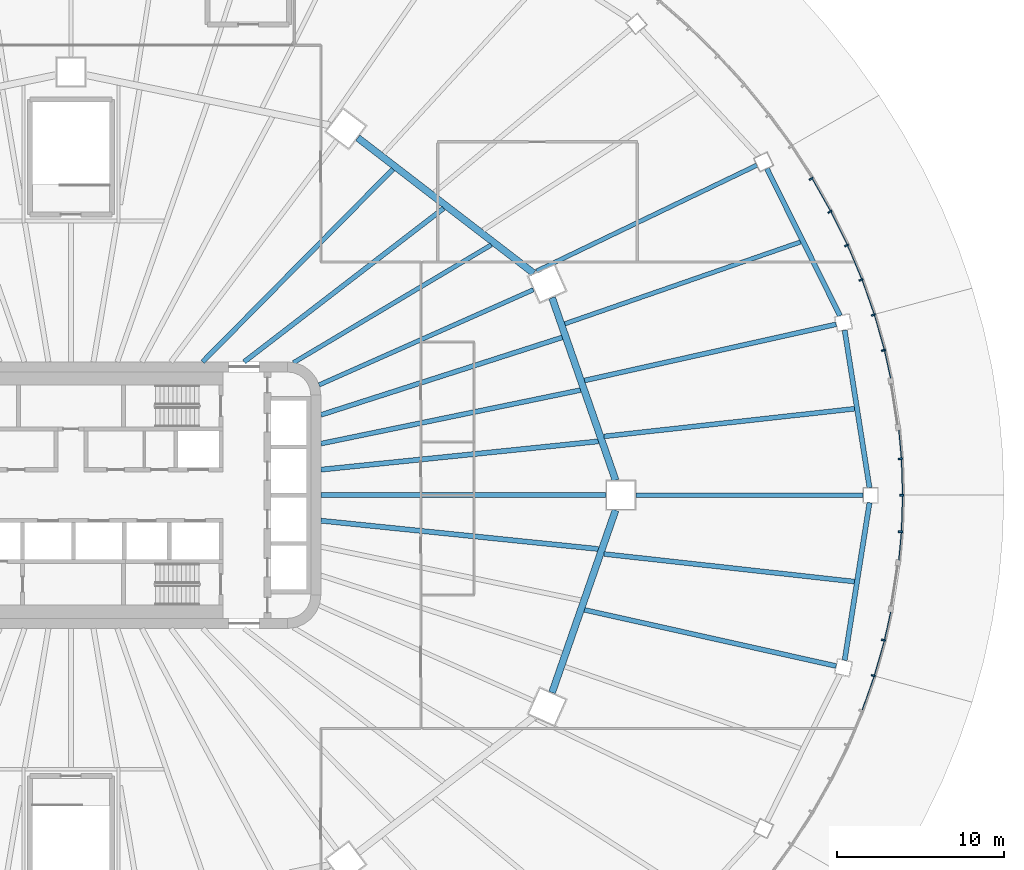
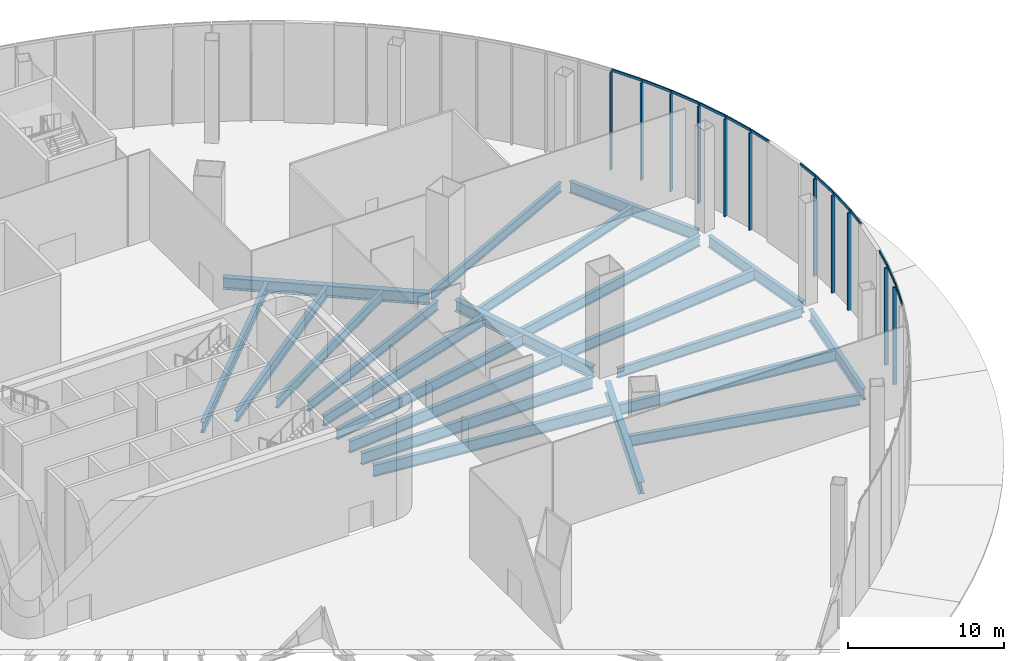
# One storey, part 7 of 36: 24 members, 22 beams, 6 elements without a shape of their own.
"""IFC4 building model written with IfcOpenShell, lengths in metres."""

from ifc_helpers import new_model, si_unit, direction, frame, origin, origin_2d, place, context, subcontext, project, spatial, rectangle, i_section, extrude, material, layer, layer_set, material_profile, profile_set, type_object, element, aggregate, save


model = new_model("IFC4")

# Units and contexts
model_context = context("Model", 3, precision=1e-05, world=origin(), true_north=direction((0.0, 1.0)))
body_context = subcontext(model_context, "Body", "Model", "MODEL_VIEW")
ifc_project = project(units=[si_unit("LENGTHUNIT", "METRE"), si_unit("AREAUNIT", "SQUARE_METRE"), si_unit("VOLUMEUNIT", "CUBIC_METRE"), si_unit("PLANEANGLEUNIT", "RADIAN"), si_unit("MASSUNIT", "GRAM", prefix="KILO")], contexts=[model_context])

# Site, building, storey
site_placement = place(None, origin())
site = spatial("IfcSite", under=ifc_project, at=site_placement, CompositionType="ELEMENT")
building_placement = place(site_placement, origin())
building = spatial("IfcBuilding", under=site, at=building_placement, Name="Sahrelin Media Tower", CompositionType="ELEMENT")
storey_placement = place(building_placement, origin())
storey = spatial("IfcBuildingStorey", under=building, at=storey_placement, Name="L00", CompositionType="ELEMENT", Elevation=0.0)

# Curtain wall, members
ifc_material_1 = material(Name="Champagne anodised aluminium 6063-T6", Category="aluminium")
ifc_layer = layer(ifc_material_1, 0.14990234375)
ifc_layer_set = layer_set([ifc_layer], Name="Concourse curtain wall")
curtain_wall_type = type_object("IfcCurtainWallType", Name="Concourse curtain wall", PredefinedType="NOTDEFINED", material=ifc_layer_set)
curtain_wall_1_placement = place(storey_placement, frame((50.0, 0.0, 0.0), z_axis=(0.0, 0.0, 1.0), x_axis=(1.0, 0.0, 0.0)))
curtain_wall_1 = element("IfcCurtainWall", 1, at=curtain_wall_1_placement, inside=storey, type_object=curtain_wall_type, Name="L00:CW:L00-P00", PredefinedType="NOTDEFINED")
ifc_material_profile_1 = material_profile(ifc_material_1, rectangle(XDim=0.10009765625, YDim=0.25, at=origin_2d()), Name="Mullion 100x250")
ifc_profile_set_1 = profile_set([ifc_material_profile_1], Name="Champagne anodised aluminium 6063-T6")
member_type_1 = type_object("IfcMemberType", Name="Mullion 100x250 CW4", PredefinedType="MULLION", material=ifc_profile_set_1)
member_1_placement = place(storey_placement, frame((49.85498046875, -0.00439453125, 0.0), z_axis=(0.0, 0.0, 1.0), x_axis=(-0.031147343317, 0.999514803794, 0.0)))
member_1 = element("IfcMember", 2, at=member_1_placement, type_object=member_type_1, Name="L00:CWM1:L00-P00", PredefinedType="MULLION", context=body_context, shape_type="SweptSolid", body=[
    extrude(rectangle(XDim=0.10009765625, YDim=0.25, at=origin_2d()), origin(), (0.0, 0.0, 1.0), 7.60009765625),
])
member_2_placement = place(storey_placement, frame((49.787109375, 2.1845703125, 0.0), z_axis=(0.0, 0.0, 1.0), x_axis=(-0.09329161754, 0.995638827134, 0.0)))
member_2 = element("IfcMember", 3, at=member_2_placement, type_object=member_type_1, Name="L00:CWM2:L00-P00", PredefinedType="MULLION", context=body_context, shape_type="SweptSolid", body=[
    extrude(rectangle(XDim=0.10009765625, YDim=0.25, at=origin_2d()), origin(), (0.0, 0.0, 1.0), 7.60009765625),
])

# Curtain wall, member
curtain_wall_2_placement = place(storey_placement, frame((49.277587890625, 7.054443359375, 0.0), z_axis=(0.0, 0.0, 1.0), x_axis=(1.0, 0.0, 0.0)))
curtain_wall_2 = element("IfcCurtainWall", 4, at=curtain_wall_2_placement, inside=storey, type_object=curtain_wall_type, Name="L00:CW2:L00-P00", PredefinedType="NOTDEFINED")
member_3_placement = place(storey_placement, frame((48.76806640625, 8.6923828125, 0.0), z_axis=(0.0, 0.0, 1.0), x_axis=(-0.274810138831, 0.961498511489, 0.0)))
member_3 = element("IfcMember", 5, at=member_3_placement, type_object=member_type_1, Name="L00:CWM5:L00-P00", PredefinedType="MULLION", context=body_context, shape_type="SweptSolid", body=[
    extrude(rectangle(XDim=0.10009765625, YDim=0.25, at=origin_2d()), origin(), (0.0, 0.0, 1.0), 7.60009765625),
])

# Curtain wall, members
curtain_wall_3_placement = place(storey_placement, frame((48.29638671875, 10.870361328125, 0.0), z_axis=(0.0, 0.0, 1.0), x_axis=(1.0, 0.0, 0.0)))
curtain_wall_3 = element("IfcCurtainWall", 6, at=curtain_wall_3_placement, inside=storey, type_object=curtain_wall_type, Name="L00:CW:L00-P01", PredefinedType="NOTDEFINED")
member_4_placement = place(storey_placement, frame((48.15966796875, 10.822265625, 0.0), z_axis=(0.0, 0.0, 1.0), x_axis=(-0.332579242691, 0.943075313711, 0.0)))
member_4 = element("IfcMember", 7, at=member_4_placement, type_object=member_type_1, Name="L00:CWM1:L00-P01", PredefinedType="MULLION", context=body_context, shape_type="SweptSolid", body=[
    extrude(rectangle(XDim=0.10009765625, YDim=0.25, at=origin_2d()), origin(), (0.0, 0.0, 1.0), 7.60009765625),
])
member_5_placement = place(storey_placement, frame((47.419189453125, 12.92236328125, 0.0), z_axis=(0.0, 0.0, 1.0), x_axis=(-0.388450189752, 0.921469722824, 0.0)))
member_5 = element("IfcMember", 8, at=member_5_placement, type_object=member_type_1, Name="L00:CWM2:L00-P01", PredefinedType="MULLION", context=body_context, shape_type="SweptSolid", body=[
    extrude(rectangle(XDim=0.10009765625, YDim=0.25, at=origin_2d()), origin(), (0.0, 0.0, 1.0), 7.60009765625),
])
member_6_placement = place(storey_placement, frame((46.549072265625, 14.9873046875, 0.0), z_axis=(0.0, 0.0, 1.0), x_axis=(-0.442262079274, 0.896885864108, 0.0)))
member_6 = element("IfcMember", 9, at=member_6_placement, type_object=member_type_1, Name="L00:CWM3:L00-P01", PredefinedType="MULLION", context=body_context, shape_type="SweptSolid", body=[
    extrude(rectangle(XDim=0.10009765625, YDim=0.25, at=origin_2d()), origin(), (0.0, 0.0, 1.0), 7.60009765625),
])
member_7_placement = place(storey_placement, frame((45.55126953125, 17.01123046875, 0.0), z_axis=(0.0, 0.0, 1.0), x_axis=(-0.493787068155, 0.869582849028, 0.0)))
member_7 = element("IfcMember", 10, at=member_7_placement, type_object=member_type_1, Name="L00:CWM4:L00-P01", PredefinedType="MULLION", context=body_context, shape_type="SweptSolid", body=[
    extrude(rectangle(XDim=0.10009765625, YDim=0.25, at=origin_2d()), origin(), (0.0, 0.0, 1.0), 7.60009765625),
])
member_8_placement = place(storey_placement, frame((44.428466796875, 18.989013671875, 0.0), z_axis=(0.0, 0.0, 1.0), x_axis=(-0.542830032192, 0.839842578196, 0.0)))
member_8 = element("IfcMember", 11, at=member_8_placement, type_object=member_type_1, Name="L00:CWM5:L00-P01", PredefinedType="MULLION", context=body_context, shape_type="SweptSolid", body=[
    extrude(rectangle(XDim=0.10009765625, YDim=0.25, at=origin_2d()), origin(), (0.0, 0.0, 1.0), 7.60009765625),
])

curtain_wall_4_placement = place(storey_placement, frame((48.29638671875, -10.870361328125, 0.0), z_axis=(0.0, 0.0, 1.0), x_axis=(1.0, 0.0, 0.0)))
curtain_wall_4 = element("IfcCurtainWall", 12, at=curtain_wall_4_placement, inside=storey, type_object=curtain_wall_type, Name="L00:CW:L00-P23", PredefinedType="NOTDEFINED")
member_9_placement = place(storey_placement, frame((48.156982421875, -10.83056640625, 0.0), z_axis=(0.0, 0.0, 1.0), x_axis=(0.274810138831, 0.961498511489, 0.0)))
member_9 = element("IfcMember", 13, at=member_9_placement, type_object=member_type_1, Name="L00:CWM1:L00-P23", PredefinedType="MULLION", context=body_context, shape_type="SweptSolid", body=[
    extrude(rectangle(XDim=0.10009765625, YDim=0.25, at=origin_2d()), origin(), (0.0, 0.0, 1.0), 7.60009765625),
])
member_10_placement = place(storey_placement, frame((48.765869140625, -8.701171875, 0.0), z_axis=(0.0, 0.0, 1.0), x_axis=(0.215437572845, 0.976517614898, 0.0)))
member_10 = element("IfcMember", 14, at=member_10_placement, type_object=member_type_1, Name="L00:CWM2:L00-P23", PredefinedType="MULLION", context=body_context, shape_type="SweptSolid", body=[
    extrude(rectangle(XDim=0.10009765625, YDim=0.25, at=origin_2d()), origin(), (0.0, 0.0, 1.0), 7.60009765625),
])

# Curtain wall, member
curtain_wall_5_placement = place(storey_placement, frame((49.7724609375, -3.89501953125, 0.0), z_axis=(0.0, 0.0, 1.0), x_axis=(1.0, 0.0, 0.0)))
curtain_wall_5 = element("IfcCurtainWall", 15, at=curtain_wall_5_placement, inside=storey, type_object=curtain_wall_type, Name="L00:CW2:L00-P23", PredefinedType="NOTDEFINED")
member_11_placement = place(storey_placement, frame((49.78662109375, -2.193603515625, 0.0), z_axis=(0.0, 0.0, 1.0), x_axis=(0.031147343317, 0.999514803794, 0.0)))
member_11 = element("IfcMember", 16, at=member_11_placement, type_object=member_type_1, Name="L00:CWM5:L00-P23", PredefinedType="MULLION", context=body_context, shape_type="SweptSolid", body=[
    extrude(rectangle(XDim=0.10009765625, YDim=0.25, at=origin_2d()), origin(), (0.0, 0.0, 1.0), 7.60009765625),
])

# Beams
ifc_material_2 = material(Name="Steel S355", Category="steel")
ifc_material_profile_2 = material_profile(ifc_material_2, i_section(OverallWidth=0.30322265625, OverallDepth=0.903076171875, WebThickness=0.01513671875, FlangeThickness=0.020263671875, FilletRadius=0.01904296875, at=origin_2d()), Name="UB 914x305x201")
ifc_profile_set_2 = profile_set([ifc_material_profile_2], Name="Steel S355")
beam_type_1 = type_object("IfcBeamType", Name="Podium edge girder PE11", PredefinedType="BEAM", material=ifc_profile_set_2)
beam_1_placement = place(storey_placement, frame((47.928955078125, 0.449951171875, -0.75146484375), z_axis=(-0.156048991104, 0.987749316565, 0.0), x_axis=(-0.987749316565, -0.156048991104, 0.0)))
element("IfcBeam", 17, at=beam_1_placement, inside=storey, type_object=beam_type_1, Name="Podium edge girder L00-01", PredefinedType="BEAM", context=body_context, shape_type="SweptSolid", body=[
    extrude(i_section(OverallWidth=0.30322265625, OverallDepth=0.903076171875, WebThickness=0.01513671875, FlangeThickness=0.020263671875, FilletRadius=0.01904296875, at=origin_2d()), origin(), (0.0, 0.0, 1.0), 9.57470703125),
])
beam_2_placement = place(storey_placement, frame((46.158203125, 10.767822265625, -0.75146484375), z_axis=(-0.445112588569, 0.895474613541, 0.0), x_axis=(-0.895474613541, -0.445112588569, 0.0)))
element("IfcBeam", 18, at=beam_2_placement, inside=storey, type_object=beam_type_1, Name="Podium edge girder L00-02", PredefinedType="BEAM", context=body_context, shape_type="SweptSolid", body=[
    extrude(i_section(OverallWidth=0.30322265625, OverallDepth=0.903076171875, WebThickness=0.01513671875, FlangeThickness=0.020263671875, FilletRadius=0.01904296875, at=origin_2d()), origin(), (0.0, 0.0, 1.0), 9.859619140625),
])
beam_3_placement = place(storey_placement, frame((46.434814453125, -9.907470703125, -0.75146484375), z_axis=(0.156048991104, 0.987749316565, 0.0), x_axis=(-0.987749316565, 0.156048991104, 0.0)))
element("IfcBeam", 19, at=beam_3_placement, inside=storey, type_object=beam_type_1, Name="Podium edge girder L00-24", PredefinedType="BEAM", context=body_context, shape_type="SweptSolid", body=[
    extrude(i_section(OverallWidth=0.30322265625, OverallDepth=0.903076171875, WebThickness=0.01513671875, FlangeThickness=0.020263671875, FilletRadius=0.01904296875, at=origin_2d()), origin(), (0.0, 0.0, 1.0), 9.57470703125),
])
ifc_material_profile_3 = material_profile(ifc_material_2, i_section(OverallWidth=0.41845703125, OverallDepth=0.911865234375, WebThickness=0.019287109375, FlangeThickness=0.031982421875, FilletRadius=0.024169921875, at=origin_2d()), Name="UB 914x419x343")
ifc_profile_set_3 = profile_set([ifc_material_profile_3], Name="Steel S355")
beam_type_2 = type_object("IfcBeamType", Name="Podium ring girder PG12", PredefinedType="BEAM", material=ifc_profile_set_3)
beam_4_placement = place(storey_placement, frame((32.686767578125, 0.89990234375, -0.755859375), z_axis=(-0.328773851324, 0.944408679908, 0.0), x_axis=(-0.944408679908, -0.328773851324, 0.0)))
element("IfcBeam", 20, at=beam_4_placement, inside=storey, type_object=beam_type_2, Name="Podium girder L00-01", PredefinedType="BEAM", context=body_context, shape_type="SweptSolid", body=[
    extrude(i_section(OverallWidth=0.41845703125, OverallDepth=0.911865234375, WebThickness=0.019287109375, FlangeThickness=0.031982421875, FilletRadius=0.024169921875, at=origin_2d()), origin(), (0.0, 0.0, 1.0), 11.591552734375),
])
beam_5_placement = place(storey_placement, frame((27.767578125, 13.324462890625, -0.755859375), z_axis=(-0.792445416108, 0.609942835428, 0.0), x_axis=(-0.609942835428, -0.792445416108, 0.0)))
element("IfcBeam", 21, at=beam_5_placement, inside=storey, type_object=beam_type_2, Name="Podium girder L00-02", PredefinedType="BEAM", context=body_context, shape_type="SweptSolid", body=[
    extrude(i_section(OverallWidth=0.41845703125, OverallDepth=0.911865234375, WebThickness=0.019287109375, FlangeThickness=0.031982421875, FilletRadius=0.024169921875, at=origin_2d()), origin(), (0.0, 0.0, 1.0), 13.318603515625),
])
beam_6_placement = place(storey_placement, frame((28.875732421875, -11.84716796875, -0.755859375), z_axis=(0.328773851324, 0.944408679908, 0.0), x_axis=(-0.944408679908, 0.328773851324, 0.0)))
element("IfcBeam", 22, at=beam_6_placement, inside=storey, type_object=beam_type_2, Name="Podium girder L00-12", PredefinedType="BEAM", context=body_context, shape_type="SweptSolid", body=[
    extrude(i_section(OverallWidth=0.41845703125, OverallDepth=0.911865234375, WebThickness=0.019287109375, FlangeThickness=0.031982421875, FilletRadius=0.024169921875, at=origin_2d()), origin(), (0.0, 0.0, 1.0), 11.591552734375),
])
ifc_material_profile_4 = material_profile(ifc_material_2, i_section(OverallWidth=0.291748046875, OverallDepth=0.8349609375, WebThickness=0.013916015625, FlangeThickness=0.018798828125, FilletRadius=0.017822265625, at=origin_2d()), Name="UB 838x292x176")
ifc_profile_set_4 = profile_set([ifc_material_profile_4], Name="Steel S355")
beam_type_3 = type_object("IfcBeamType", Name="Radial primary beam PB10", PredefinedType="BEAM", material=ifc_profile_set_4)
beam_7_placement = place(storey_placement, frame((15.0, 3.093505859375, -0.71728515625), z_axis=(0.979386832716, 0.201993643221, 0.0), x_axis=(-0.201993643221, 0.979386832716, 0.0)))
element("IfcBeam", 23, at=beam_7_placement, inside=storey, type_object=beam_type_3, Name="Radial beam L00-02", PredefinedType="BEAM", context=body_context, shape_type="SweptSolid", body=[
    extrude(i_section(OverallWidth=0.291748046875, OverallDepth=0.8349609375, WebThickness=0.013916015625, FlangeThickness=0.018798828125, FilletRadius=0.017822265625, at=origin_2d()), origin(), (0.0, 0.0, 1.0), 15.91064453125),
])
beam_8_placement = place(storey_placement, frame((10.393798828125, 8.0, -0.71728515625), z_axis=(0.79244196099, 0.609947324335, 0.0), x_axis=(-0.609947324335, 0.79244196099, 0.0)))
element("IfcBeam", 24, at=beam_8_placement, inside=storey, type_object=beam_type_3, Name="Radial beam L00-04", PredefinedType="BEAM", context=body_context, shape_type="SweptSolid", body=[
    extrude(i_section(OverallWidth=0.291748046875, OverallDepth=0.8349609375, WebThickness=0.013916015625, FlangeThickness=0.018798828125, FilletRadius=0.017822265625, at=origin_2d()), origin(), (0.0, 0.0, 1.0), 15.1103515625),
])
for number, where, z_axis, x_axis, name in (
    (25, (30.825439453125, 6.883056640625, -0.71728515625), (0.975966755314, 0.217919463385, 0.0), (-0.217919463385, 0.975966755314, 0.0), "Radial beam L00-02"),
    (26, (30.825439453125, -6.883056640625, -0.71728515625), (0.975966755314, -0.217919463385, 0.0), (0.217919463385, 0.975966755314, 0.0), "Radial beam L00-24"),
):
    element("IfcBeam", number, at=place(storey_placement, frame(where, z_axis=z_axis, x_axis=x_axis)), inside=storey, type_object=beam_type_3, Name=name, PredefinedType="BEAM", context=body_context, shape_type="SweptSolid", body=[
        extrude(i_section(OverallWidth=0.291748046875, OverallDepth=0.8349609375, WebThickness=0.013916015625, FlangeThickness=0.018798828125, FilletRadius=0.017822265625, at=origin_2d()), origin(), (0.0, 0.0, 1.0), 15.4716796875),
    ])
ifc_material_profile_5 = material_profile(ifc_material_2, i_section(OverallWidth=0.30322265625, OverallDepth=0.903076171875, WebThickness=0.01513671875, FlangeThickness=0.020263671875, FilletRadius=0.01904296875, at=origin_2d()), Name="UB 914x305x201")
ifc_profile_set_5 = profile_set([ifc_material_profile_5], Name="Steel S355")
beam_type_4 = type_object("IfcBeamType", Name="Radial primary beam PB11", PredefinedType="BEAM", material=ifc_profile_set_5)
beam_9_placement = place(storey_placement, frame((15.0, 0.0, -0.75146484375), z_axis=(1.0, 0.0, 0.0), x_axis=(0.0, 1.0, 0.0)))
element("IfcBeam", 27, at=beam_9_placement, inside=storey, type_object=beam_type_4, Name="Radial beam L00-01", PredefinedType="BEAM", context=body_context, shape_type="SweptSolid", body=[
    extrude(i_section(OverallWidth=0.30322265625, OverallDepth=0.903076171875, WebThickness=0.01513671875, FlangeThickness=0.020263671875, FilletRadius=0.01904296875, at=origin_2d()), origin(), (0.0, 0.0, 1.0), 17.10009765625),
])
ifc_material_profile_6 = material_profile(ifc_material_2, i_section(OverallWidth=0.26513671875, OverallDepth=0.75390625, WebThickness=0.0126953125, FlangeThickness=0.017578125, FilletRadius=0.0166015625, at=origin_2d()), Name="UB 762x267x147")
ifc_profile_set_6 = profile_set([ifc_material_profile_6], Name="Steel S355")
beam_type_5 = type_object("IfcBeamType", Name="Radial primary beam PB9", PredefinedType="BEAM", material=ifc_profile_set_6)
beam_10_placement = place(storey_placement, frame((14.890625, 6.6171875, -0.677001953125), z_axis=(0.913833000058, 0.406090196883, 0.0), x_axis=(-0.406090196883, 0.913833000058, 0.0)))
element("IfcBeam", 28, at=beam_10_placement, inside=storey, type_object=beam_type_5, Name="Radial beam L00-03", PredefinedType="BEAM", context=body_context, shape_type="SweptSolid", body=[
    extrude(i_section(OverallWidth=0.26513671875, OverallDepth=0.75390625, WebThickness=0.0126953125, FlangeThickness=0.017578125, FilletRadius=0.0166015625, at=origin_2d()), origin(), (0.0, 0.0, 1.0), 14.078857421875),
])
beam_11_placement = place(storey_placement, frame((33.89990234375, 0.0, -0.677001953125), z_axis=(1.0, 0.0, 0.0), x_axis=(0.0, 1.0, 0.0)))
element("IfcBeam", 29, at=beam_11_placement, inside=storey, type_object=beam_type_5, Name="Radial beam L00-01", PredefinedType="BEAM", context=body_context, shape_type="SweptSolid", body=[
    extrude(i_section(OverallWidth=0.26513671875, OverallDepth=0.75390625, WebThickness=0.0126953125, FlangeThickness=0.017578125, FilletRadius=0.0166015625, at=origin_2d()), origin(), (0.0, 0.0, 1.0), 13.650146484375),
])
beam_12_placement = place(storey_placement, frame((27.950439453125, 13.44775390625, -0.677001953125), z_axis=(0.901130102072, 0.433548773657, 0.0), x_axis=(-0.433548773657, 0.901130102072, 0.0)))
element("IfcBeam", 30, at=beam_12_placement, inside=storey, type_object=beam_type_5, Name="Radial beam L00-03", PredefinedType="BEAM", context=body_context, shape_type="SweptSolid", body=[
    extrude(i_section(OverallWidth=0.26513671875, OverallDepth=0.75390625, WebThickness=0.0126953125, FlangeThickness=0.017578125, FilletRadius=0.0166015625, at=origin_2d()), origin(), (0.0, 0.0, 1.0), 14.6630859375),
])
ifc_material_profile_7 = material_profile(ifc_material_2, i_section(OverallWidth=0.291748046875, OverallDepth=0.8349609375, WebThickness=0.013916015625, FlangeThickness=0.018798828125, FilletRadius=0.017822265625, at=origin_2d()), Name="UB 838x292x176")
ifc_profile_set_7 = profile_set([ifc_material_profile_7], Name="Steel S355")
beam_type_6 = type_object("IfcBeamType", Name="Radial secondary beam SB10", PredefinedType="BEAM", material=ifc_profile_set_7)
beam_13_placement = place(storey_placement, frame((15.0, 4.81787109375, -0.71728515625), z_axis=(0.952096340592, 0.305798231244, 0.0), x_axis=(-0.305798231244, 0.952096340592, 0.0)))
element("IfcBeam", 31, at=beam_13_placement, inside=storey, type_object=beam_type_6, Name="Secondary beam L00-02", PredefinedType="BEAM", context=body_context, shape_type="SweptSolid", body=[
    extrude(i_section(OverallWidth=0.291748046875, OverallDepth=0.8349609375, WebThickness=0.013916015625, FlangeThickness=0.018798828125, FilletRadius=0.017822265625, at=origin_2d()), origin(), (0.0, 0.0, 1.0), 15.210693359375),
])
beam_14_placement = place(storey_placement, frame((7.901123046875, 8.0, -0.71728515625), z_axis=(0.702706329063, 0.711480017355, 0.0), x_axis=(-0.711480017355, 0.702706329063, 0.0)))
element("IfcBeam", 32, at=beam_14_placement, inside=storey, type_object=beam_type_6, Name="Secondary beam L00-04", PredefinedType="BEAM", context=body_context, shape_type="SweptSolid", body=[
    extrude(i_section(OverallWidth=0.291748046875, OverallDepth=0.8349609375, WebThickness=0.013916015625, FlangeThickness=0.018798828125, FilletRadius=0.017822265625, at=origin_2d()), origin(), (0.0, 0.0, 1.0), 16.250732421875),
])
for number, where, z_axis, x_axis, name in (
    (33, (31.9931640625, 3.528564453125, -0.71728515625), (0.993973950123, 0.109616542901, 0.0), (-0.109616542901, 0.993973950123, 0.0), "Secondary beam L00-01"),
    (34, (31.9931640625, -3.528564453125, -0.71728515625), (0.993973950123, -0.109616542901, 0.0), (0.109616542901, 0.993973950123, 0.0), "Secondary beam L00-24"),
):
    element("IfcBeam", number, at=place(storey_placement, frame(where, z_axis=z_axis, x_axis=x_axis)), inside=storey, type_object=beam_type_6, Name=name, PredefinedType="BEAM", context=body_context, shape_type="SweptSolid", body=[
        extrude(i_section(OverallWidth=0.291748046875, OverallDepth=0.8349609375, WebThickness=0.013916015625, FlangeThickness=0.018798828125, FilletRadius=0.017822265625, at=origin_2d()), origin(), (0.0, 0.0, 1.0), 15.125),
    ])
ifc_material_profile_8 = material_profile(ifc_material_2, i_section(OverallWidth=0.30322265625, OverallDepth=0.903076171875, WebThickness=0.01513671875, FlangeThickness=0.020263671875, FilletRadius=0.01904296875, at=origin_2d()), Name="UB 914x305x201")
ifc_profile_set_8 = profile_set([ifc_material_profile_8], Name="Steel S355")
beam_type_7 = type_object("IfcBeamType", Name="Radial secondary beam SB11", PredefinedType="BEAM", material=ifc_profile_set_8)
for number, where, z_axis, x_axis, name in (
    (35, (15.0, 1.53076171875, -0.75146484375), (0.994833571419, 0.10151928476, 0.0), (-0.10151928476, 0.994833571419, 0.0), "Secondary beam L00-01"),
    (36, (15.0, -1.53076171875, -0.75146484375), (0.994833571419, -0.10151928476, 0.0), (0.10151928476, 0.994833571419, 0.0), "Secondary beam L00-28"),
):
    element("IfcBeam", number, at=place(storey_placement, frame(where, z_axis=z_axis, x_axis=x_axis)), inside=storey, type_object=beam_type_7, Name=name, PredefinedType="BEAM", context=body_context, shape_type="SweptSolid", body=[
        extrude(i_section(OverallWidth=0.30322265625, OverallDepth=0.903076171875, WebThickness=0.01513671875, FlangeThickness=0.020263671875, FilletRadius=0.01904296875, at=origin_2d()), origin(), (0.0, 0.0, 1.0), 16.740234375),
    ])
ifc_material_profile_9 = material_profile(ifc_material_2, i_section(OverallWidth=0.26513671875, OverallDepth=0.75390625, WebThickness=0.0126953125, FlangeThickness=0.017578125, FilletRadius=0.0166015625, at=origin_2d()), Name="UB 762x267x147")
ifc_profile_set_9 = profile_set([ifc_material_profile_9], Name="Steel S355")
beam_type_8 = type_object("IfcBeamType", Name="Radial secondary beam SB9", PredefinedType="BEAM", material=ifc_profile_set_9)
beam_15_placement = place(storey_placement, frame((13.356201171875, 7.953125, -0.677001953125), z_axis=(0.859199265621, 0.511641106594, 0.0), x_axis=(-0.511641106594, 0.859199265621, 0.0)))
element("IfcBeam", 37, at=beam_15_placement, inside=storey, type_object=beam_type_8, Name="Secondary beam L00-03", PredefinedType="BEAM", context=body_context, shape_type="SweptSolid", body=[
    extrude(i_section(OverallWidth=0.26513671875, OverallDepth=0.75390625, WebThickness=0.0126953125, FlangeThickness=0.017578125, FilletRadius=0.0166015625, at=origin_2d()), origin(), (0.0, 0.0, 1.0), 13.810791015625),
])
beam_16_placement = place(storey_placement, frame((29.640380859375, 10.287109375, -0.677001953125), z_axis=(0.944713020182, 0.32789832189, 0.0), x_axis=(-0.32789832189, 0.944713020182, 0.0)))
element("IfcBeam", 38, at=beam_16_placement, inside=storey, type_object=beam_type_8, Name="Secondary beam L00-02", PredefinedType="BEAM", context=body_context, shape_type="SweptSolid", body=[
    extrude(i_section(OverallWidth=0.26513671875, OverallDepth=0.75390625, WebThickness=0.0126953125, FlangeThickness=0.017578125, FilletRadius=0.0166015625, at=origin_2d()), origin(), (0.0, 0.0, 1.0), 14.974609375),
])

# Member
ifc_material_profile_10 = material_profile(ifc_material_1, rectangle(XDim=0.080078125, YDim=0.199951171875, at=origin_2d()), Name="Transom 80x200")
ifc_profile_set_10 = profile_set([ifc_material_profile_10], Name="Champagne anodised aluminium 6063-T6")
member_type_2 = type_object("IfcMemberType", Name="Transom 80x200 CW4", PredefinedType="USERDEFINED", material=ifc_profile_set_10)
member_12_placement = place(storey_placement, frame((49.938232421875, 0.05810546875, 7.699951171875), z_axis=(-0.031156367282, 0.999514522545, 0.0), x_axis=(-0.999514522545, -0.031156367282, 0.0)))
member_12 = element("IfcMember", 39, at=member_12_placement, type_object=member_type_2, Name="L00:CWT1a:L00-P00", ObjectType="TRANSOM", PredefinedType="USERDEFINED", context=body_context, shape_type="SweptSolid", body=[
    extrude(rectangle(XDim=0.080078125, YDim=0.199951171875, at=origin_2d()), origin(), (0.0, 0.0, 1.0), 2.13916015625),
])

member_13_placement = place(storey_placement, frame((49.8662109375, 2.252197265625, 7.699951171875), z_axis=(-0.093239524002, 0.995643706937, 0.0), x_axis=(-0.995643706937, -0.093239524002, 0.0)))
member_13 = element("IfcMember", 40, at=member_13_placement, type_object=member_type_2, Name="L00:CWT2a:L00-P00", ObjectType="TRANSOM", PredefinedType="USERDEFINED", context=body_context, shape_type="SweptSolid", body=[
    extrude(rectangle(XDim=0.080078125, YDim=0.199951171875, at=origin_2d()), origin(), (0.0, 0.0, 1.0), 1.644287109375),
])

aggregate(curtain_wall_1, [member_1, member_12, member_2, member_13])

member_14_placement = place(storey_placement, frame((49.218994140625, 7.04150390625, 7.699951171875), z_axis=(-0.21539570851, 0.976526849992, 0.0), x_axis=(-0.976526849992, -0.21539570851, 0.0)))
member_14 = element("IfcMember", 41, at=member_14_placement, type_object=member_type_2, Name="L00:CWT4a:L00-P00", ObjectType="TRANSOM", PredefinedType="USERDEFINED", context=body_context, shape_type="SweptSolid", body=[
    extrude(rectangle(XDim=0.080078125, YDim=0.199951171875, at=origin_2d()), origin(), (0.0, 0.0, 1.0), 1.71826171875),
])

member_15_placement = place(storey_placement, frame((48.833251953125, 8.7734375, 7.699951171875), z_axis=(-0.274840336515, 0.961489880043, 0.0), x_axis=(-0.961489880043, -0.274840336515, 0.0)))
member_15 = element("IfcMember", 42, at=member_15_placement, type_object=member_type_2, Name="L00:CWT5a:L00-P00", ObjectType="TRANSOM", PredefinedType="USERDEFINED", context=body_context, shape_type="SweptSolid", body=[
    extrude(rectangle(XDim=0.080078125, YDim=0.199951171875, at=origin_2d()), origin(), (0.0, 0.0, 1.0), 2.163818359375),
])

aggregate(curtain_wall_2, [member_14, member_3, member_15])

member_16_placement = place(storey_placement, frame((48.2197265625, 10.906982421875, 7.699951171875), z_axis=(-0.332608797654, 0.943064890515, 0.0), x_axis=(-0.943064890515, -0.332608797654, 0.0)))
member_16 = element("IfcMember", 43, at=member_16_placement, type_object=member_type_2, Name="L00:CWT1a:L00-P01", ObjectType="TRANSOM", PredefinedType="USERDEFINED", context=body_context, shape_type="SweptSolid", body=[
    extrude(rectangle(XDim=0.080078125, YDim=0.199951171875, at=origin_2d()), origin(), (0.0, 0.0, 1.0), 2.175537109375),
])

member_17_placement = place(storey_placement, frame((47.47412109375, 13.0107421875, 7.699951171875), z_axis=(-0.388381004069, 0.921498885337, 0.0), x_axis=(-0.921498885337, -0.388381004069, 0.0)))
member_17 = element("IfcMember", 44, at=member_17_placement, type_object=member_type_2, Name="L00:CWT2a:L00-P01", ObjectType="TRANSOM", PredefinedType="USERDEFINED", context=body_context, shape_type="SweptSolid", body=[
    extrude(rectangle(XDim=0.080078125, YDim=0.199951171875, at=origin_2d()), origin(), (0.0, 0.0, 1.0), 2.189453125),
])

member_18_placement = place(storey_placement, frame((46.5986328125, 15.078857421875, 7.699951171875), z_axis=(-0.442246119994, 0.896893733588, 0.0), x_axis=(-0.896893733588, -0.442246119994, 0.0)))
member_18 = element("IfcMember", 45, at=member_18_placement, type_object=member_type_2, Name="L00:CWT3a:L00-P01", ObjectType="TRANSOM", PredefinedType="USERDEFINED", context=body_context, shape_type="SweptSolid", body=[
    extrude(rectangle(XDim=0.080078125, YDim=0.199951171875, at=origin_2d()), origin(), (0.0, 0.0, 1.0), 2.204833984375),
])

member_19_placement = place(storey_placement, frame((45.595458984375, 17.10546875, 7.699951171875), z_axis=(-0.493782910408, 0.869585209964, 0.0), x_axis=(-0.869585209964, -0.493782910408, 0.0)))
member_19 = element("IfcMember", 46, at=member_19_placement, type_object=member_type_2, Name="L00:CWT4a:L00-P01", ObjectType="TRANSOM", PredefinedType="USERDEFINED", context=body_context, shape_type="SweptSolid", body=[
    extrude(rectangle(XDim=0.080078125, YDim=0.199951171875, at=origin_2d()), origin(), (0.0, 0.0, 1.0), 2.222412109375),
])

aggregate(curtain_wall_3, [member_4, member_16, member_5, member_17, member_6, member_18, member_7, member_19, member_8])

# Curtain wall, member
curtain_wall_6_placement = place(storey_placement, frame((43.30126953125, -21.0, 0.0), z_axis=(0.0, 0.0, 1.0), x_axis=(1.0, 0.0, 0.0)))
curtain_wall_6 = element("IfcCurtainWall", 47, at=curtain_wall_6_placement, inside=storey, type_object=curtain_wall_type, Name="L00:CW:L00-P22", PredefinedType="NOTDEFINED")
member_20_placement = place(storey_placement, frame((47.51611328125, -12.902099609375, 7.699951171875), z_axis=(0.332608797654, 0.943064890515, 0.0), x_axis=(-0.943064890515, 0.332608797654, 0.0)))
member_20 = element("IfcMember", 48, at=member_20_placement, type_object=member_type_2, Name="L00:CWT5a:L00-P22", ObjectType="TRANSOM", PredefinedType="USERDEFINED", context=body_context, shape_type="SweptSolid", body=[
    extrude(rectangle(XDim=0.080078125, YDim=0.199951171875, at=origin_2d()), origin(), (0.0, 0.0, 1.0), 2.175537109375),
])
aggregate(curtain_wall_6, [member_20])

# Member
member_21_placement = place(storey_placement, frame((48.255126953125, -10.796142578125, 7.699951171875), z_axis=(0.27476583786, 0.961511172241, 0.0), x_axis=(-0.961511172241, 0.27476583786, 0.0)))
member_21 = element("IfcMember", 49, at=member_21_placement, type_object=member_type_2, Name="L00:CWT1a:L00-P23", ObjectType="TRANSOM", PredefinedType="USERDEFINED", context=body_context, shape_type="SweptSolid", body=[
    extrude(rectangle(XDim=0.080078125, YDim=0.199951171875, at=origin_2d()), origin(), (0.0, 0.0, 1.0), 2.16357421875),
])

member_22_placement = place(storey_placement, frame((48.86181640625, -8.660888671875, 7.699951171875), z_axis=(0.21538694547, 0.976528782843, 0.0), x_axis=(-0.976528782843, 0.21538694547, 0.0)))
member_22 = element("IfcMember", 50, at=member_22_placement, type_object=member_type_2, Name="L00:CWT2a:L00-P23", ObjectType="TRANSOM", PredefinedType="USERDEFINED", context=body_context, shape_type="SweptSolid", body=[
    extrude(rectangle(XDim=0.080078125, YDim=0.199951171875, at=origin_2d()), origin(), (0.0, 0.0, 1.0), 1.658203125),
])

aggregate(curtain_wall_4, [member_9, member_21, member_10, member_22])

member_23_placement = place(storey_placement, frame((49.712890625, -3.889404296875, 7.699951171875), z_axis=(0.09324752773, 0.995642957376, 0.0), x_axis=(-0.995642957376, 0.09324752773, 0.0)))
member_23 = element("IfcMember", 51, at=member_23_placement, type_object=member_type_2, Name="L00:CWT4a:L00-P23", ObjectType="TRANSOM", PredefinedType="USERDEFINED", context=body_context, shape_type="SweptSolid", body=[
    extrude(rectangle(XDim=0.080078125, YDim=0.199951171875, at=origin_2d()), origin(), (0.0, 0.0, 1.0), 1.704345703125),
])

member_24_placement = place(storey_placement, frame((49.873291015625, -2.13623046875, 7.699951171875), z_axis=(0.031156367282, 0.999514522545, 0.0), x_axis=(-0.999514522545, 0.031156367282, 0.0)))
member_24 = element("IfcMember", 52, at=member_24_placement, type_object=member_type_2, Name="L00:CWT5a:L00-P23", ObjectType="TRANSOM", PredefinedType="USERDEFINED", context=body_context, shape_type="SweptSolid", body=[
    extrude(rectangle(XDim=0.080078125, YDim=0.199951171875, at=origin_2d()), origin(), (0.0, 0.0, 1.0), 2.13916015625),
])

aggregate(curtain_wall_5, [member_23, member_11, member_24])

save(model, "model.ifc")
